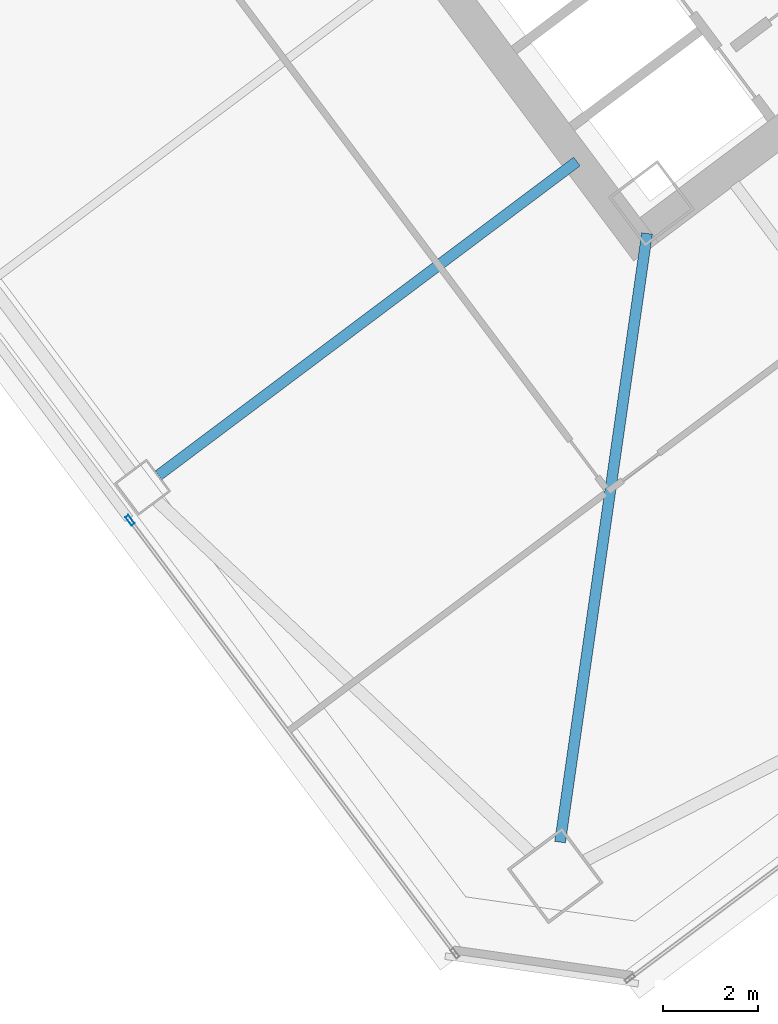
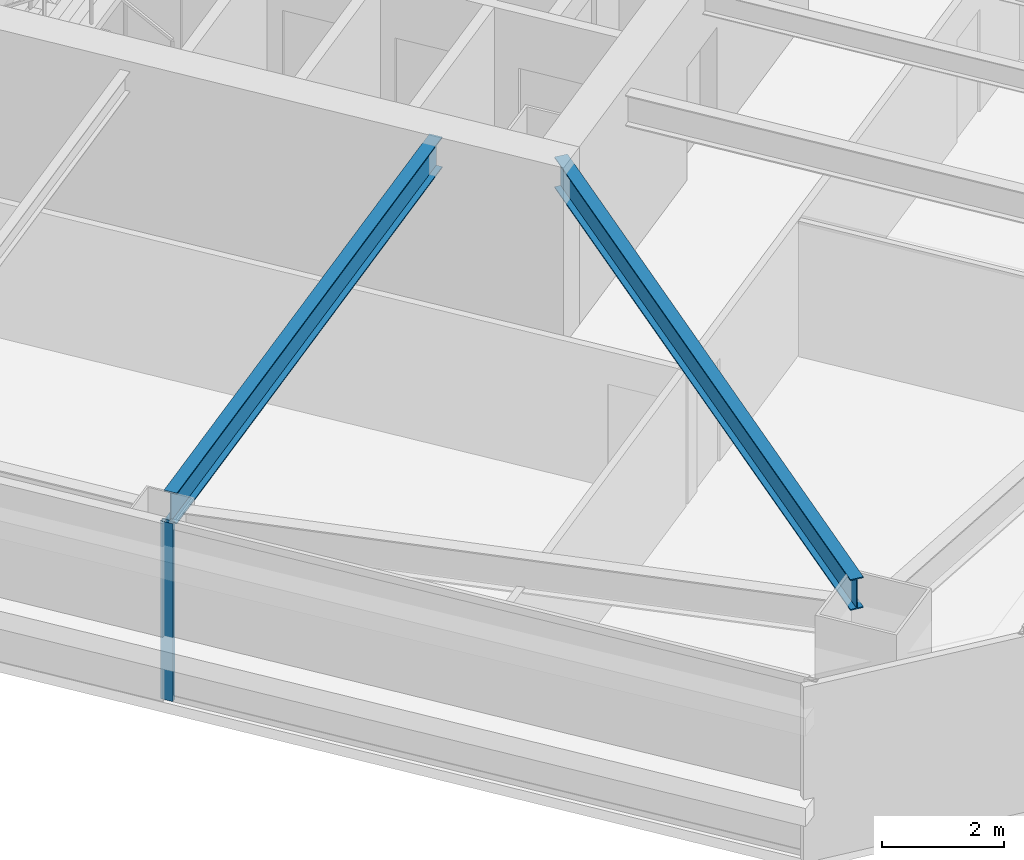
# One storey, part 19 of 44: 2 beams, 1 member, 1 element without a shape of its own.
"""IFC4 building model written with IfcOpenShell, lengths in metres."""

from ifc_helpers import new_model, si_unit, direction, frame, origin, origin_2d, place, context, subcontext, project, spatial, hollow_rectangle, i_section, extrude, material, material_profile, profile_set, type_object, element, aggregate, save


model = new_model("IFC4")

# Units and contexts
model_context = context("Model", 3, precision=1e-05, world=origin(), true_north=direction((0.0, 1.0)))
body_context = subcontext(model_context, "Body", "Model", "MODEL_VIEW")
ifc_project = project(units=[si_unit("LENGTHUNIT", "METRE"), si_unit("AREAUNIT", "SQUARE_METRE"), si_unit("VOLUMEUNIT", "CUBIC_METRE"), si_unit("PLANEANGLEUNIT", "RADIAN"), si_unit("MASSUNIT", "GRAM", prefix="KILO")], contexts=[model_context])

# Site, building, storey
site_placement = place(None, origin())
site = spatial("IfcSite", under=ifc_project, at=site_placement, CompositionType="ELEMENT")
building_placement = place(site_placement, origin())
building = spatial("IfcBuilding", under=site, at=building_placement, Name="Tashvorn Skyway Center", CompositionType="ELEMENT")
storey_placement = place(building_placement, frame((0.0, 0.0, 102.699951171875)))
storey = spatial("IfcBuildingStorey", under=building, at=storey_placement, Name="L27", CompositionType="ELEMENT", Elevation=102.699951171875)

# Beams
ifc_material_1 = material(Name="Steel ASTM A992 Grade 50", Category="steel")
ifc_material_profile_1 = material_profile(ifc_material_1, i_section(OverallWidth=0.22998046875, OverallDepth=0.616943359375, WebThickness=0.01318359375, FlangeThickness=0.022216796875, at=origin_2d()), Name="W24X94")
ifc_profile_set_1 = profile_set([ifc_material_profile_1], Name="Steel ASTM A992 Grade 50")
beam_type = type_object("IfcBeamType", Name="BM-BEAM-W24X94", PredefinedType="BEAM", material=ifc_profile_set_1)
beam_1_placement = place(storey_placement, frame((110.661865234375, 8.6328125, 3.04150390625), z_axis=(0.141418724841, 0.989949869571, 0.0), x_axis=(-0.989949869571, 0.141418724841, 0.0)))
element("IfcBeam", 1, at=beam_1_placement, inside=storey, type_object=beam_type, Name="Tower 2 L27 Primary Floor Girder MC-SW", PredefinedType="BEAM", context=body_context, shape_type="SweptSolid", body=[
    extrude(i_section(OverallWidth=0.22998046875, OverallDepth=0.616943359375, WebThickness=0.01318359375, FlangeThickness=0.022216796875, at=origin_2d()), origin(), (0.0, 0.0, 1.0), 12.9892578125),
])
beam_2_placement = place(storey_placement, frame((102.176025390625, 16.382080078125, 3.04150390625), z_axis=(0.800007953832, 0.599989394744, 0.0), x_axis=(-0.599989394744, 0.800007953832, 0.0)))
element("IfcBeam", 2, at=beam_2_placement, inside=storey, type_object=beam_type, Name="Tower 2 L27 Primary Floor Girder FC-W2", PredefinedType="BEAM", context=body_context, shape_type="SweptSolid", body=[
    extrude(i_section(OverallWidth=0.22998046875, OverallDepth=0.616943359375, WebThickness=0.01318359375, FlangeThickness=0.022216796875, at=origin_2d()), origin(), (0.0, 0.0, 1.0), 11.050048828125),
])

# Curtain wall, member
ifc_material_2 = material(Name="Thermally broken bronze-anodized aluminium 6063-T6", Category="aluminium")
curtain_wall_type = type_object("IfcCurtainWallType", Name="CW-CW-Z2", PredefinedType="NOTDEFINED", material=ifc_material_2)
curtain_wall_placement = place(storey_placement, origin())
curtain_wall = element("IfcCurtainWall", 3, at=curtain_wall_placement, inside=storey, type_object=curtain_wall_type, Name="Tower 2 L27 West Unitised Curtain Wall Glazing Group 1", PredefinedType="NOTDEFINED")
ifc_material_profile_2 = material_profile(ifc_material_2, hollow_rectangle(XDim=0.080078125, YDim=0.219970703125, WallThickness=0.0048828125, at=origin_2d()), Name="ALU-MULL-80x220")
ifc_profile_set_2 = profile_set([ifc_material_profile_2], Name="Thermally broken bronze-anodized aluminium 6063-T6")
member_type = type_object("IfcMemberType", Name="CWM-CW-Z2", PredefinedType="MULLION", material=ifc_profile_set_2)
member_placement = place(storey_placement, frame((101.575927734375, 15.431884765625, 0.0), z_axis=(0.0, 0.0, 1.0), x_axis=(-0.799999999998, -0.600000000002, 0.0)))
member = element("IfcMember", 4, at=member_placement, type_object=member_type, Name="CW-Z2 mullion 2", PredefinedType="MULLION", context=body_context, shape_type="SweptSolid", body=[
    extrude(hollow_rectangle(XDim=0.080078125, YDim=0.219970703125, WallThickness=0.0048828125, at=origin_2d()), origin(), (0.0, 0.0, 1.0), 3.550048828125),
])
aggregate(curtain_wall, [member])

save(model, "model.ifc")
